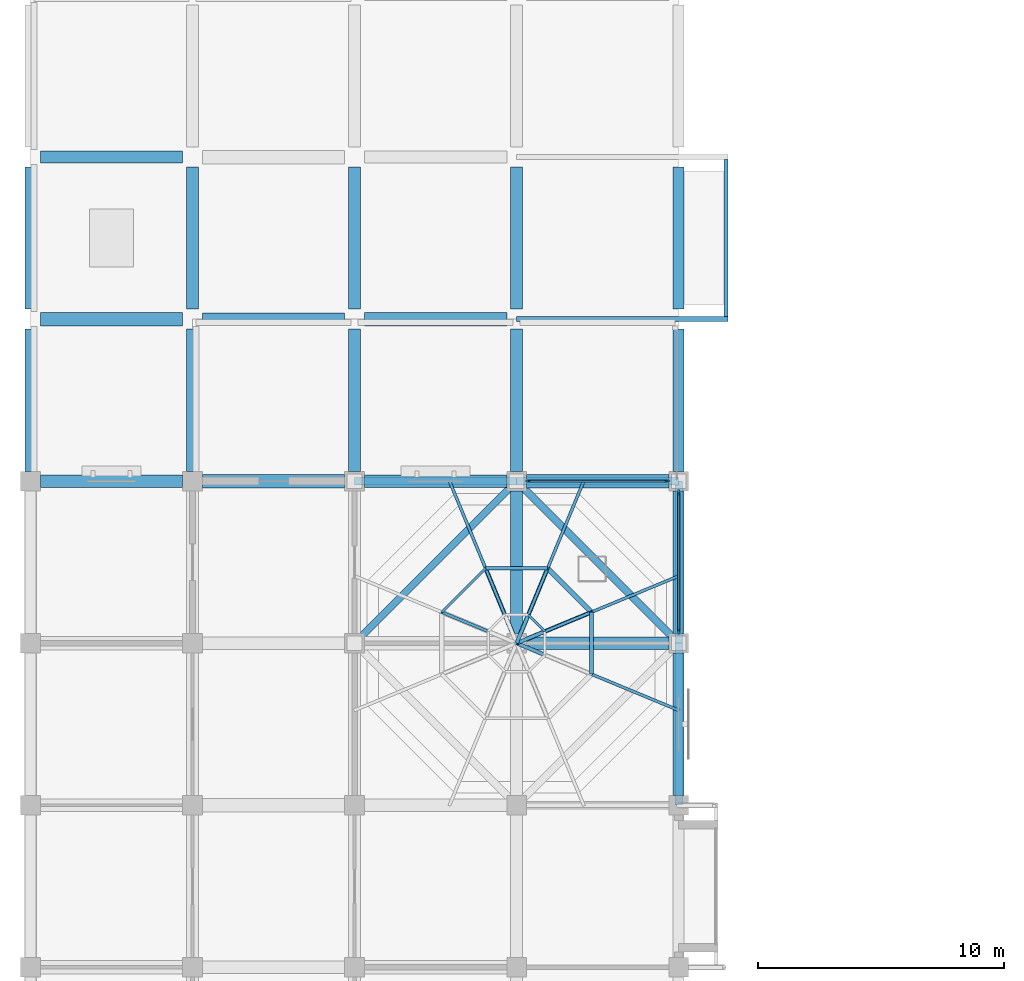
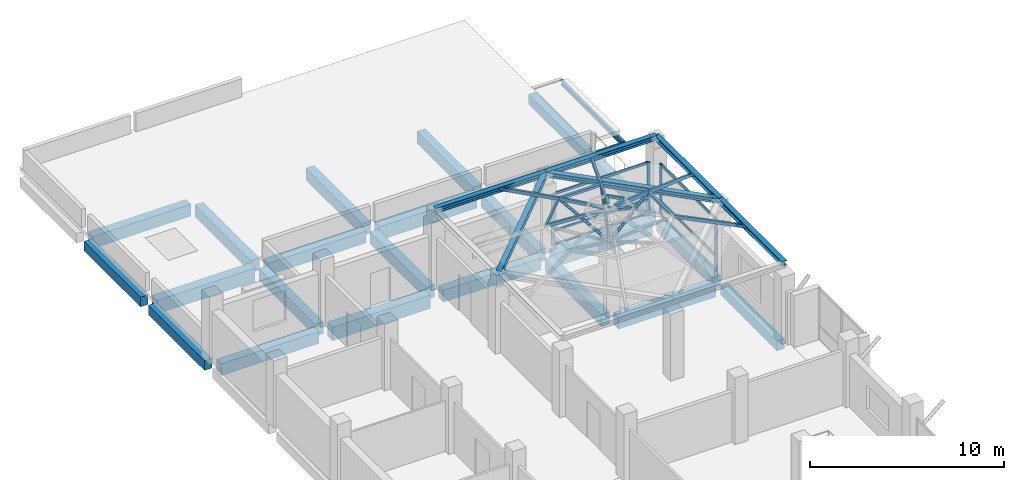
# One storey, part 11 of 25: 30 beams, 29 members, 2 elements without a shape of their own.
"""IFC4 building model written with IfcOpenShell, lengths in metres."""

from ifc_helpers import new_model, si_unit, direction, frame, origin, origin_2d, place, context, subcontext, project, spatial, rectangle, hollow_rectangle, hollow_circle, i_section, extrude, material, material_profile, profile_set, type_object, element, aggregate, save


model = new_model("IFC4")

# Units and contexts
model_context = context("Model", 3, precision=1e-05, world=origin(), true_north=direction((0.0, 1.0)))
body_context = subcontext(model_context, "Body", "Model", "MODEL_VIEW")
ifc_project = project(units=[si_unit("LENGTHUNIT", "METRE"), si_unit("AREAUNIT", "SQUARE_METRE"), si_unit("VOLUMEUNIT", "CUBIC_METRE"), si_unit("PLANEANGLEUNIT", "RADIAN"), si_unit("MASSUNIT", "GRAM", prefix="KILO")], contexts=[model_context])

# Site, building, storey
site_placement = place(None, origin())
site = spatial("IfcSite", under=ifc_project, at=site_placement, CompositionType="ELEMENT")
building_placement = place(site_placement, origin())
building = spatial("IfcBuilding", under=site, at=building_placement, Name="Rusizi Kubbe Research Institute", CompositionType="ELEMENT")
storey_placement = place(building_placement, frame((0.0, 0.0, 14.39990234375)))
storey = spatial("IfcBuildingStorey", under=building, at=storey_placement, Name="L03", CompositionType="ELEMENT", Elevation=14.39990234375)

# Beams
ifc_material_1 = material(Name="Steel S355", Category="steel")
ifc_material_profile_1 = material_profile(ifc_material_1, i_section(OverallWidth=0.300048828125, OverallDepth=0.300048828125, WebThickness=0.010986328125, FlangeThickness=0.01904296875, at=origin_2d()), Name="HEB 300")
ifc_profile_set_1 = profile_set([ifc_material_profile_1], Name="Steel S355")
beam_type_1 = type_object("IfcBeamType", Name="BM-HEB300", PredefinedType="BEAM", material=ifc_profile_set_1)
beam_1_placement = place(storey_placement, frame((26.39990234375, 85.800048828125, 4.7001953125), z_axis=(0.0, 1.0, 0.0), x_axis=(-1.0, 0.0, 0.0)))
element("IfcBeam", 1, at=beam_1_placement, inside=storey, type_object=beam_type_1, Name="Kubbe Dome Ring Beam DOME-NP1 E1", PredefinedType="BEAM", context=body_context, shape_type="SweptSolid", body=[
    extrude(i_section(OverallWidth=0.300048828125, OverallDepth=0.300048828125, WebThickness=0.010986328125, FlangeThickness=0.01904296875, at=origin_2d()), origin(), (0.0, 0.0, 1.0), 6.599853515625),
])
for number, where, z_axis, x_axis, name in (
    (2, (26.39990234375, 92.39990234375, 4.7001953125), (0.0, 1.0, 0.0), (-1.0, 0.0, 0.0), "Kubbe Dome Ring Beam DOME-NP1 E2"),
    (3, (13.199951171875, 99.0, 4.7001953125), (1.0, 0.0, 0.0), (0.0, 1.0, 0.0), "Kubbe Dome Ring Beam DOME-NP1 N1"),
):
    element("IfcBeam", number, at=place(storey_placement, frame(where, z_axis=z_axis, x_axis=x_axis)), inside=storey, type_object=beam_type_1, Name=name, PredefinedType="BEAM", context=body_context, shape_type="SweptSolid", body=[
        extrude(i_section(OverallWidth=0.300048828125, OverallDepth=0.300048828125, WebThickness=0.010986328125, FlangeThickness=0.01904296875, at=origin_2d()), origin(), (0.0, 0.0, 1.0), 6.60009765625),
    ])
beam_2_placement = place(storey_placement, frame((19.800048828125, 99.0, 4.7001953125), z_axis=(1.0, 0.0, 0.0), x_axis=(0.0, 1.0, 0.0)))
element("IfcBeam", 4, at=beam_2_placement, inside=storey, type_object=beam_type_1, Name="Kubbe Dome Ring Beam DOME-NP1 N2", PredefinedType="BEAM", context=body_context, shape_type="SweptSolid", body=[
    extrude(i_section(OverallWidth=0.300048828125, OverallDepth=0.300048828125, WebThickness=0.010986328125, FlangeThickness=0.01904296875, at=origin_2d()), origin(), (0.0, 0.0, 1.0), 6.599853515625),
])
beam_3_placement = place(storey_placement, frame((26.39990234375, 92.39990234375, 4.7001953125), z_axis=(-0.707093702722, 0.707119859409, 0.0), x_axis=(-0.707119859409, -0.707093702722, 0.0)))
element("IfcBeam", 5, at=beam_3_placement, inside=storey, type_object=beam_type_1, Name="Kubbe Dome Ring Beam DOME-NP1 PNE", PredefinedType="BEAM", context=body_context, shape_type="SweptSolid", body=[
    extrude(i_section(OverallWidth=0.300048828125, OverallDepth=0.300048828125, WebThickness=0.010986328125, FlangeThickness=0.01904296875, at=origin_2d()), origin(), (0.0, 0.0, 1.0), 9.333740234375),
])
beam_4_placement = place(storey_placement, frame((19.800048828125, 99.0, 4.7001953125), z_axis=(-0.707106781187, -0.707106781187, 0.0), x_axis=(0.707106781187, -0.707106781187, 0.0)))
element("IfcBeam", 6, at=beam_4_placement, inside=storey, type_object=beam_type_1, Name="Kubbe Dome Ring Beam DOME-NP1 PNW", PredefinedType="BEAM", context=body_context, shape_type="SweptSolid", body=[
    extrude(i_section(OverallWidth=0.300048828125, OverallDepth=0.300048828125, WebThickness=0.010986328125, FlangeThickness=0.01904296875, at=origin_2d()), origin(), (0.0, 0.0, 1.0), 9.333984375),
])
ifc_material_2 = material(Name="Steel S355", Category="steel")
ifc_material_profile_2 = material_profile(ifc_material_2, i_section(OverallWidth=0.14990234375, OverallDepth=0.300048828125, WebThickness=0.007080078125, FlangeThickness=0.0107421875, at=origin_2d()), Name="IPE 300")
ifc_profile_set_2 = profile_set([ifc_material_profile_2], Name="Steel S355")
beam_type_2 = type_object("IfcBeamType", Name="BM-IPE300", PredefinedType="BEAM", material=ifc_profile_set_2)
beam_5_placement = place(storey_placement, frame((28.324951171875, 105.695068359375, -0.5), z_axis=(0.0, 1.0, 0.0), x_axis=(-1.0, 0.0, 0.0)))
element("IfcBeam", 7, at=beam_5_placement, inside=storey, type_object=beam_type_2, Name="Cumba Edge Tie Beam L03-3", PredefinedType="BEAM", context=body_context, shape_type="SweptSolid", body=[
    extrude(i_section(OverallWidth=0.14990234375, OverallDepth=0.300048828125, WebThickness=0.007080078125, FlangeThickness=0.0107421875, at=origin_2d()), origin(), (0.0, 0.0, 1.0), 6.409912109375),
])
ifc_material_3 = material(Name="Steel S355", Category="steel")
ifc_material_profile_3 = material_profile(ifc_material_3, i_section(OverallWidth=0.18994140625, OverallDepth=0.449951171875, WebThickness=0.009521484375, FlangeThickness=0.0146484375, at=origin_2d()), Name="IPE 450")
ifc_profile_set_3 = profile_set([ifc_material_profile_3], Name="Steel S355")
beam_type_3 = type_object("IfcBeamType", Name="BM-IPE450", PredefinedType="BEAM", material=ifc_profile_set_3)
beam_6_placement = place(storey_placement, frame((19.800048828125, 105.60009765625, -0.574951171875), z_axis=(1.0, 0.0, 0.0), x_axis=(0.0, 1.0, 0.0)))
element("IfcBeam", 8, at=beam_6_placement, inside=storey, type_object=beam_type_3, Name="Cumba Back-Spanned Cantilever Beam L03-3S", PredefinedType="BEAM", context=body_context, shape_type="SweptSolid", body=[
    extrude(i_section(OverallWidth=0.18994140625, OverallDepth=0.449951171875, WebThickness=0.009521484375, FlangeThickness=0.0146484375, at=origin_2d()), origin(), (0.0, 0.0, 1.0), 8.599853515625),
])
ifc_material_4 = material(Name="Concrete C40/50", Category="concrete")
ifc_material_profile_4 = material_profile(ifc_material_4, rectangle(XDim=0.449951171875, YDim=0.60009765625, at=origin_2d()), Name="RC450x600")
ifc_profile_set_4 = profile_set([ifc_material_profile_4], Name="Concrete C40/50")
beam_type_4 = type_object("IfcBeamType", Name="BM-RC450x600", PredefinedType="SPANDREL", material=ifc_profile_set_4)
for number, where, z_axis, x_axis, name in (
    (9, (0.0, 99.39990234375, -0.64990234375), (0.0, 1.0, 0.0), (-1.0, 0.0, 0.0), "Grid Beam V L03 (0,15)"),
    (10, (0.0, 106.0, -0.64990234375), (0.0, 1.0, 0.0), (-1.0, 0.0, 0.0), "Grid Beam V L03 (0,16)"),
    (11, (26.39990234375, 86.199951171875, -0.64990234375), (0.0, 1.0, 0.0), (-1.0, 0.0, 0.0), "Grid Beam V L03 (4,13)"),
    (12, (26.39990234375, 92.800048828125, -0.64990234375), (0.0, 1.0, 0.0), (-1.0, 0.0, 0.0), "Grid Beam V L03 (4,14)"),
    (13, (26.39990234375, 99.39990234375, -0.64990234375), (0.0, 1.0, 0.0), (-1.0, 0.0, 0.0), "Grid Beam V L03 (4,15)"),
    (14, (26.39990234375, 106.0, -0.64990234375), (0.0, 1.0, 0.0), (-1.0, 0.0, 0.0), "Grid Beam V L03 (4,16)"),
):
    element("IfcBeam", number, at=place(storey_placement, frame(where, z_axis=z_axis, x_axis=x_axis)), inside=storey, type_object=beam_type_4, Name=name, PredefinedType="SPANDREL", context=body_context, shape_type="SweptSolid", body=[
        extrude(rectangle(XDim=0.449951171875, YDim=0.60009765625, at=origin_2d()), origin(), (0.0, 0.0, 1.0), 5.800048828125),
    ])
ifc_material_5 = material(Name="Concrete C45/55", Category="concrete")
ifc_material_profile_5 = material_profile(ifc_material_5, rectangle(XDim=0.5, YDim=0.75, at=origin_2d()), Name="RC500x750B")
ifc_profile_set_5 = profile_set([ifc_material_profile_5], Name="Concrete C45/55")
beam_type_5 = type_object("IfcBeamType", Name="BM-RC500x750", PredefinedType="BEAM", material=ifc_profile_set_5)
for number, where, z_axis, x_axis, name in (
    (15, (0.39990234375, 99.0, -0.724853515625), (1.0, 0.0, 0.0), (0.0, 1.0, 0.0), "Grid Beam H L03 (0,15)"),
    (16, (0.39990234375, 112.199951171875, -0.724853515625), (1.0, 0.0, 0.0), (0.0, 1.0, 0.0), "Grid Beam H L03 (0,17)"),
    (17, (7.0, 105.60009765625, -0.724853515625), (1.0, 0.0, 0.0), (0.0, 1.0, 0.0), "Grid Beam H L03 (1,16)"),
):
    element("IfcBeam", number, at=place(storey_placement, frame(where, z_axis=z_axis, x_axis=x_axis)), inside=storey, type_object=beam_type_5, Name=name, PredefinedType="BEAM", context=body_context, shape_type="SweptSolid", body=[
        extrude(rectangle(XDim=0.5, YDim=0.75, at=origin_2d()), origin(), (0.0, 0.0, 1.0), 5.800048828125),
    ])
beam_7_placement = place(storey_placement, frame((13.60009765625, 99.0, -0.724853515625), z_axis=(1.0, 0.0, 0.0), x_axis=(0.0, 1.0, 0.0)))
element("IfcBeam", 18, at=beam_7_placement, inside=storey, type_object=beam_type_5, Name="Grid Beam H L03 (2,15)", PredefinedType="BEAM", context=body_context, shape_type="SweptSolid", body=[
    extrude(rectangle(XDim=0.5, YDim=0.75, at=origin_2d()), origin(), (0.0, 0.0, 1.0), 5.7998046875),
])
for number, where, z_axis, x_axis, name in (
    (19, (20.199951171875, 92.39990234375, -0.724853515625), (1.0, 0.0, 0.0), (0.0, 1.0, 0.0), "Grid Beam H L03 (3,14)"),
    (20, (6.60009765625, 99.39990234375, -0.724853515625), (0.0, 1.0, 0.0), (-1.0, 0.0, 0.0), "Grid Beam V L03 (1,15)"),
    (21, (6.60009765625, 106.0, -0.724853515625), (0.0, 1.0, 0.0), (-1.0, 0.0, 0.0), "Grid Beam V L03 (1,16)"),
    (22, (13.199951171875, 99.39990234375, -0.724853515625), (0.0, 1.0, 0.0), (-1.0, 0.0, 0.0), "Grid Beam V L03 (2,15)"),
    (23, (13.199951171875, 106.0, -0.724853515625), (0.0, 1.0, 0.0), (-1.0, 0.0, 0.0), "Grid Beam V L03 (2,16)"),
    (24, (19.800048828125, 92.800048828125, -0.724853515625), (0.0, 1.0, 0.0), (-1.0, 0.0, 0.0), "Grid Beam V L03 (3,14)"),
    (25, (19.800048828125, 99.39990234375, -0.724853515625), (0.0, 1.0, 0.0), (-1.0, 0.0, 0.0), "Grid Beam V L03 (3,15)"),
    (26, (19.800048828125, 106.0, -0.724853515625), (0.0, 1.0, 0.0), (-1.0, 0.0, 0.0), "Grid Beam V L03 (3,16)"),
):
    element("IfcBeam", number, at=place(storey_placement, frame(where, z_axis=z_axis, x_axis=x_axis)), inside=storey, type_object=beam_type_5, Name=name, PredefinedType="BEAM", context=body_context, shape_type="SweptSolid", body=[
        extrude(rectangle(XDim=0.5, YDim=0.75, at=origin_2d()), origin(), (0.0, 0.0, 1.0), 5.800048828125),
    ])
ifc_material_6 = material(Name="Concrete C45/55", Category="concrete")
ifc_material_profile_6 = material_profile(ifc_material_6, rectangle(XDim=0.550048828125, YDim=0.85009765625, at=origin_2d()), Name="RC550x850")
ifc_profile_set_6 = profile_set([ifc_material_profile_6], Name="Concrete C45/55")
beam_type_6 = type_object("IfcBeamType", Name="BM-RC550x850", PredefinedType="BEAM", material=ifc_profile_set_6)
for number, where, z_axis, x_axis, name in (
    (27, (0.39990234375, 105.60009765625, -0.77490234375), (1.0, 0.0, 0.0), (0.0, 1.0, 0.0), "Grid Beam H L03 (0,16)"),
    (28, (7.0, 99.0, -0.77490234375), (1.0, 0.0, 0.0), (0.0, 1.0, 0.0), "Grid Beam H L03 (1,15)"),
):
    element("IfcBeam", number, at=place(storey_placement, frame(where, z_axis=z_axis, x_axis=x_axis)), inside=storey, type_object=beam_type_6, Name=name, PredefinedType="BEAM", context=body_context, shape_type="SweptSolid", body=[
        extrude(rectangle(XDim=0.550048828125, YDim=0.85009765625, at=origin_2d()), origin(), (0.0, 0.0, 1.0), 5.800048828125),
    ])
beam_8_placement = place(storey_placement, frame((13.60009765625, 105.60009765625, -0.77490234375), z_axis=(1.0, 0.0, 0.0), x_axis=(0.0, 1.0, 0.0)))
element("IfcBeam", 29, at=beam_8_placement, inside=storey, type_object=beam_type_6, Name="Grid Beam H L03 (2,16)", PredefinedType="BEAM", context=body_context, shape_type="SweptSolid", body=[
    extrude(rectangle(XDim=0.550048828125, YDim=0.85009765625, at=origin_2d()), origin(), (0.0, 0.0, 1.0), 5.7998046875),
])
beam_9_placement = place(storey_placement, frame((20.199951171875, 99.0, -0.77490234375), z_axis=(1.0, 0.0, 0.0), x_axis=(0.0, 1.0, 0.0)))
element("IfcBeam", 30, at=beam_9_placement, inside=storey, type_object=beam_type_6, Name="Grid Beam H L03 (3,15)", PredefinedType="BEAM", context=body_context, shape_type="SweptSolid", body=[
    extrude(rectangle(XDim=0.550048828125, YDim=0.85009765625, at=origin_2d()), origin(), (0.0, 0.0, 1.0), 5.800048828125),
])

# Members
ifc_material_7 = material(Name="Steel S355", Category="steel")
ifc_material_profile_7 = material_profile(ifc_material_7, hollow_circle(Radius=0.084228515625, WallThickness=0.00634765625, at=origin_2d()), Name="CHS 168.3x6.3")
ifc_profile_set_7 = profile_set([ifc_material_profile_7], Name="Steel S355")
member_type_1 = type_object("IfcMemberType", Name="MB-CHS168", PredefinedType="STRUT", material=ifc_profile_set_7)
for number, where, z_axis, x_axis, name in (
    (31, (19.800048828125, 92.39990234375, 4.400146484375), (0.86003043973, 0.356257003902, 0.365278783819), (-0.382702441477, 0.92387165845, 0.0), "Kubbe Radial King-Post Strut DOME-NP1-1"),
    (32, (19.800048828125, 92.39990234375, 4.400146484375), (0.356196873871, 0.860051539231, 0.365287745362), (-0.923897814256, 0.382639293348, 0.0), "Kubbe Radial King-Post Strut DOME-NP1-2"),
    (33, (19.800048828125, 92.39990234375, 4.400146484375), (-0.356257003902, 0.86003043973, 0.365278783819), (-0.92387165845, -0.382702441477, 0.0), "Kubbe Radial King-Post Strut DOME-NP1-3"),
):
    element("IfcMember", number, at=place(storey_placement, frame(where, z_axis=z_axis, x_axis=x_axis)), inside=storey, type_object=member_type_1, Name=name, PredefinedType="STRUT", context=body_context, shape_type="SweptSolid", body=[
        extrude(hollow_circle(Radius=0.084228515625, WallThickness=0.00634765625, at=origin_2d()), origin(), (0.0, 0.0, 1.0), 3.544921875),
    ])
ifc_material_8 = material(Name="Steel S355", Category="steel")
ifc_material_profile_8 = material_profile(ifc_material_8, hollow_rectangle(XDim=0.10009765625, YDim=0.179931640625, WallThickness=0.008056640625, at=origin_2d()), Name="RHS 180x100x8.0")
ifc_profile_set_8 = profile_set([ifc_material_profile_8], Name="Steel S355")
member_type_2 = type_object("IfcMemberType", Name="MB-RHS180", PredefinedType="PURLIN", material=ifc_profile_set_8)
member_1_placement = place(storey_placement, frame((20.954833984375, 92.87841796875, 6.400146484375), z_axis=(-0.707106781187, 0.707106781187, 0.0), x_axis=(-0.707106781187, -0.707106781187, 0.0)))
element("IfcMember", 34, at=member_1_placement, inside=storey, type_object=member_type_2, Name="Kubbe Dome Hoop Purlin Top DOME-NP1-1", PredefinedType="PURLIN", context=body_context, shape_type="SweptSolid", body=[
    extrude(hollow_rectangle(XDim=0.10009765625, YDim=0.179931640625, WallThickness=0.008056640625, at=origin_2d()), origin(), (0.0, 0.0, 1.0), 0.956787109375),
])
member_2_placement = place(storey_placement, frame((18.537109375, 95.44873046875, 5.695068359375), z_axis=(-0.707106781187, -0.707106781187, 0.0), x_axis=(0.707106781187, -0.707106781187, 0.0)))
element("IfcMember", 35, at=member_2_placement, inside=storey, type_object=member_type_2, Name="Kubbe Vault Hoop Purlin Mid DOME-NP1-3", PredefinedType="PURLIN", context=body_context, shape_type="SweptSolid", body=[
    extrude(hollow_rectangle(XDim=0.10009765625, YDim=0.179931640625, WallThickness=0.008056640625, at=origin_2d()), origin(), (0.0, 0.0, 1.0), 2.525634765625),
])
ifc_material_9 = material(Name="Steel S355", Category="steel")
ifc_material_profile_9 = material_profile(ifc_material_9, hollow_rectangle(XDim=0.1201171875, YDim=0.199951171875, WallThickness=0.008056640625, at=origin_2d()), Name="RHS 200x120x8.0")
ifc_profile_set_9 = profile_set([ifc_material_profile_9], Name="Steel S355")
member_type_3 = type_object("IfcMemberType", Name="MB-RHS200", PredefinedType="RAFTER", material=ifc_profile_set_9)
member_3_placement = place(storey_placement, frame((26.39990234375, 95.1337890625, 4.7001953125), z_axis=(-0.894398453709, -0.370488187253, 0.250579147395), x_axis=(0.382697731059, -0.923873609669, 0.0)))
element("IfcMember", 36, at=member_3_placement, inside=storey, type_object=member_type_3, Name="Kubbe Arch Rib Lower DOME-NP1-1", PredefinedType="RAFTER", context=body_context, shape_type="SweptSolid", body=[
    extrude(hollow_rectangle(XDim=0.1201171875, YDim=0.199951171875, WallThickness=0.008056640625, at=origin_2d()), origin(), (0.0, 0.0, 1.0), 3.97021484375),
])
member_4_placement = place(storey_placement, frame((22.848876953125, 93.662841796875, 5.695068359375), z_axis=(-0.898798111453, -0.372316033836, 0.231393011557), x_axis=(0.382702441477, -0.92387165845, 0.0)))
element("IfcMember", 37, at=member_4_placement, inside=storey, type_object=member_type_3, Name="Kubbe Arch Rib Upper DOME-NP1-1", PredefinedType="RAFTER", context=body_context, shape_type="SweptSolid", body=[
    extrude(hollow_rectangle(XDim=0.1201171875, YDim=0.199951171875, WallThickness=0.008056640625, at=origin_2d()), origin(), (0.0, 0.0, 1.0), 3.39208984375),
])
member_5_placement = place(storey_placement, frame((22.53369140625, 99.0, 4.7001953125), z_axis=(-0.370467812056, -0.894410754218, 0.25056536666), x_axis=(0.923882911584, -0.38267527446, 0.0)))
element("IfcMember", 38, at=member_5_placement, inside=storey, type_object=member_type_3, Name="Kubbe Arch Rib Lower DOME-NP1-2", PredefinedType="RAFTER", context=body_context, shape_type="SweptSolid", body=[
    extrude(hollow_rectangle(XDim=0.1201171875, YDim=0.199951171875, WallThickness=0.008056640625, at=origin_2d()), origin(), (0.0, 0.0, 1.0), 3.970458984375),
])
member_6_placement = place(storey_placement, frame((21.062744140625, 95.44873046875, 5.695068359375), z_axis=(-0.372254035235, -0.898822194899, 0.231399211771), x_axis=(0.923897814256, -0.382639293348, 0.0)))
element("IfcMember", 39, at=member_6_placement, inside=storey, type_object=member_type_3, Name="Kubbe Arch Rib Upper DOME-NP1-2", PredefinedType="RAFTER", context=body_context, shape_type="SweptSolid", body=[
    extrude(hollow_rectangle(XDim=0.1201171875, YDim=0.199951171875, WallThickness=0.008056640625, at=origin_2d()), origin(), (0.0, 0.0, 1.0), 3.39208984375),
])
member_7_placement = place(storey_placement, frame((17.066162109375, 99.0, 4.7001953125), z_axis=(0.370467812056, -0.894410754218, 0.25056536666), x_axis=(0.923882911584, 0.38267527446, 0.0)))
element("IfcMember", 40, at=member_7_placement, inside=storey, type_object=member_type_3, Name="Kubbe Arch Rib Lower DOME-NP1-3", PredefinedType="RAFTER", context=body_context, shape_type="SweptSolid", body=[
    extrude(hollow_rectangle(XDim=0.1201171875, YDim=0.199951171875, WallThickness=0.008056640625, at=origin_2d()), origin(), (0.0, 0.0, 1.0), 3.970458984375),
])
for number, where, z_axis, x_axis, name in (
    (41, (18.537109375, 95.44873046875, 5.695068359375), (0.372316033836, -0.898798111453, 0.231393011557), (0.92387165845, 0.382702441477, 0.0), "Kubbe Arch Rib Upper DOME-NP1-3"),
    (42, (16.751220703125, 93.662841796875, 5.695068359375), (0.898798111453, -0.372316033836, 0.231393011557), (0.382702441477, 0.92387165845, 0.0), "Kubbe Arch Rib Upper DOME-NP1-4"),
):
    element("IfcMember", number, at=place(storey_placement, frame(where, z_axis=z_axis, x_axis=x_axis)), inside=storey, type_object=member_type_3, Name=name, PredefinedType="RAFTER", context=body_context, shape_type="SweptSolid", body=[
        extrude(hollow_rectangle(XDim=0.1201171875, YDim=0.199951171875, WallThickness=0.008056640625, at=origin_2d()), origin(), (0.0, 0.0, 1.0), 3.39208984375),
    ])
member_8_placement = place(storey_placement, frame((26.39990234375, 89.666259765625, 4.7001953125), z_axis=(-0.894398453709, 0.370488187253, 0.250579147395), x_axis=(-0.382697731059, -0.923873609669, 0.0)))
element("IfcMember", 43, at=member_8_placement, inside=storey, type_object=member_type_3, Name="Kubbe Arch Rib Lower DOME-NP1-8", PredefinedType="RAFTER", context=body_context, shape_type="SweptSolid", body=[
    extrude(hollow_rectangle(XDim=0.1201171875, YDim=0.199951171875, WallThickness=0.008056640625, at=origin_2d()), origin(), (0.0, 0.0, 1.0), 3.97021484375),
])
ifc_material_10 = material(Name="Steel S355", Category="steel")
ifc_material_profile_10 = material_profile(ifc_material_10, hollow_rectangle(XDim=0.14990234375, YDim=0.14990234375, WallThickness=0.008056640625, at=origin_2d()), Name="SHS 150x150x8.0")
ifc_profile_set_10 = profile_set([ifc_material_profile_10], Name="Steel S355")
member_type_4 = type_object("IfcMemberType", Name="MB-SHS150", PredefinedType="PURLIN", material=ifc_profile_set_10)
member_9_placement = place(storey_placement, frame((19.800048828125, 92.39990234375, 6.400146484375), z_axis=(0.923826362943, 0.382811769845, 0.0), x_axis=(-0.382811769845, 0.923826362943, 0.0)))
element("IfcMember", 44, at=member_9_placement, inside=storey, type_object=member_type_4, Name="Kubbe Crown Collar DOME-NP1-1", PredefinedType="PURLIN", context=body_context, shape_type="SweptSolid", body=[
    extrude(hollow_rectangle(XDim=0.14990234375, YDim=0.14990234375, WallThickness=0.008056640625, at=origin_2d()), origin(), (0.0, 0.0, 1.0), 1.25),
])
member_10_placement = place(storey_placement, frame((21.062744140625, 95.44873046875, 5.695068359375), z_axis=(-1.0, 0.0, 0.0), x_axis=(0.0, -1.0, 0.0)))
element("IfcMember", 45, at=member_10_placement, inside=storey, type_object=member_type_4, Name="Kubbe Vault Hoop Purlin Mid DOME-NP1-2", PredefinedType="PURLIN", context=body_context, shape_type="SweptSolid", body=[
    extrude(hollow_rectangle(XDim=0.14990234375, YDim=0.14990234375, WallThickness=0.008056640625, at=origin_2d()), origin(), (0.0, 0.0, 1.0), 2.525634765625),
])
member_11_placement = place(storey_placement, frame((19.800048828125, 92.39990234375, 6.400146484375), z_axis=(0.382576019711, 0.923924016974, 0.0), x_axis=(-0.923924016974, 0.382576019711, 0.0)))
element("IfcMember", 46, at=member_11_placement, inside=storey, type_object=member_type_4, Name="Kubbe Crown Collar DOME-NP1-2", PredefinedType="PURLIN", context=body_context, shape_type="SweptSolid", body=[
    extrude(hollow_rectangle(XDim=0.14990234375, YDim=0.14990234375, WallThickness=0.008056640625, at=origin_2d()), origin(), (0.0, 0.0, 1.0), 1.250244140625),
])
member_12_placement = place(storey_placement, frame((22.848876953125, 91.13720703125, 5.695068359375), z_axis=(0.0, 1.0, 0.0), x_axis=(-1.0, 0.0, 0.0)))
element("IfcMember", 47, at=member_12_placement, inside=storey, type_object=member_type_4, Name="Kubbe Vault Hoop Purlin Mid DOME-NP1-8", PredefinedType="PURLIN", context=body_context, shape_type="SweptSolid", body=[
    extrude(hollow_rectangle(XDim=0.14990234375, YDim=0.14990234375, WallThickness=0.008056640625, at=origin_2d()), origin(), (0.0, 0.0, 1.0), 2.525634765625),
])
member_13_placement = place(storey_placement, frame((19.800048828125, 92.39990234375, 6.400146484375), z_axis=(0.923895425513, -0.382645061011, 0.0), x_axis=(0.382645061011, 0.923895425513, 0.0)))
element("IfcMember", 48, at=member_13_placement, inside=storey, type_object=member_type_4, Name="Kubbe Crown Collar DOME-NP1-8", PredefinedType="PURLIN", context=body_context, shape_type="SweptSolid", body=[
    extrude(hollow_rectangle(XDim=0.14990234375, YDim=0.14990234375, WallThickness=0.008056640625, at=origin_2d()), origin(), (0.0, 0.0, 1.0), 1.25),
])
ifc_material_11 = material(Name="Steel S355", Category="steel")
ifc_material_profile_11 = material_profile(ifc_material_11, hollow_rectangle(XDim=0.199951171875, YDim=0.199951171875, WallThickness=0.010009765625, at=origin_2d()), Name="SHS 200x200x10.0")
ifc_profile_set_11 = profile_set([ifc_material_profile_11], Name="Steel S355")
member_type_5 = type_object("IfcMemberType", Name="MB-SHS200", PredefinedType="PURLIN", material=ifc_profile_set_11)
member_14_placement = place(storey_placement, frame((22.848876953125, 93.662841796875, 5.695068359375), z_axis=(-0.707155108889, 0.707058450181, 0.0), x_axis=(-0.707058450181, -0.707155108889, 0.0)))
element("IfcMember", 49, at=member_14_placement, inside=storey, type_object=member_type_5, Name="Kubbe Vault Hoop Purlin Mid DOME-NP1-1", PredefinedType="PURLIN", context=body_context, shape_type="SweptSolid", body=[
    extrude(hollow_rectangle(XDim=0.199951171875, YDim=0.199951171875, WallThickness=0.010009765625, at=origin_2d()), origin(), (0.0, 0.0, 1.0), 2.52587890625),
])

# Curtain wall, members
ifc_material_12 = material(Name="Thermally Broken Aluminium and Low-E Glazing", Category="aluminium")
curtain_wall_type = type_object("IfcCurtainWallType", Name="CW-06", PredefinedType="NOTDEFINED", material=ifc_material_12)
curtain_wall_1_placement = place(storey_placement, origin())
curtain_wall_1 = element("IfcCurtainWall", 50, at=curtain_wall_1_placement, inside=storey, type_object=curtain_wall_type, Name="Unitised Facade Curtain Wall CW-L03-H-03-15", PredefinedType="NOTDEFINED")
ifc_material_13 = material(Name="Aluminium Alloy 6063-T6", Category="aluminium")
ifc_material_profile_12 = material_profile(ifc_material_13, rectangle(XDim=0.06494140625, YDim=0.199951171875, at=origin_2d()), Name="ALU-M 65x200")
ifc_profile_set_12 = profile_set([ifc_material_profile_12], Name="Aluminium Alloy 6063-T6")
member_type_6 = type_object("IfcMemberType", Name="ML-03", PredefinedType="MULLION", material=ifc_profile_set_12)
member_15_placement = place(storey_placement, frame((20.262451171875, 99.0, 0.0), z_axis=(0.0, 0.0, 1.0), x_axis=(0.0, 1.0, 0.0)))
member_15 = element("IfcMember", 51, at=member_15_placement, type_object=member_type_6, Name="CW-06 mullion 1", PredefinedType="MULLION", context=body_context, shape_type="SweptSolid", body=[
    extrude(rectangle(XDim=0.06494140625, YDim=0.199951171875, at=origin_2d()), origin(), (0.0, 0.0, 1.0), 3.260009765625),
])
member_16_placement = place(storey_placement, frame((25.9375, 99.0, 0.0), z_axis=(0.0, 0.0, 1.0), x_axis=(0.0, 1.0, 0.0)))
member_16 = element("IfcMember", 52, at=member_16_placement, type_object=member_type_6, Name="CW-06 mullion 2", PredefinedType="MULLION", context=body_context, shape_type="SweptSolid", body=[
    extrude(rectangle(XDim=0.06494140625, YDim=0.199951171875, at=origin_2d()), origin(), (0.0, 0.0, 1.0), 3.260009765625),
])

curtain_wall_2_placement = place(storey_placement, origin())
curtain_wall_2 = element("IfcCurtainWall", 53, at=curtain_wall_2_placement, inside=storey, type_object=curtain_wall_type, Name="Unitised Facade Curtain Wall CW-L03-V-04-14", PredefinedType="NOTDEFINED")
ifc_material_14 = material(Name="Aluminium Alloy 6063-T6", Category="aluminium")
ifc_material_profile_13 = material_profile(ifc_material_14, rectangle(XDim=0.070068359375, YDim=0.219970703125, at=origin_2d()), Name="ALU-M 70x220")
ifc_profile_set_13 = profile_set([ifc_material_profile_13], Name="Aluminium Alloy 6063-T6")
member_type_7 = type_object("IfcMemberType", Name="ML-04", PredefinedType="MULLION", material=ifc_profile_set_13)
member_17_placement = place(storey_placement, frame((26.39990234375, 92.864990234375, 0.0), z_axis=(0.0, 0.0, 1.0), x_axis=(-1.0, 0.0, 0.0)))
member_17 = element("IfcMember", 54, at=member_17_placement, type_object=member_type_7, Name="CW-06 mullion 1", PredefinedType="MULLION", context=body_context, shape_type="SweptSolid", body=[
    extrude(rectangle(XDim=0.070068359375, YDim=0.219970703125, at=origin_2d()), origin(), (0.0, 0.0, 1.0), 3.260009765625),
])
member_18_placement = place(storey_placement, frame((26.39990234375, 98.534912109375, 0.0), z_axis=(0.0, 0.0, 1.0), x_axis=(-1.0, 0.0, 0.0)))
member_18 = element("IfcMember", 55, at=member_18_placement, type_object=member_type_7, Name="CW-06 mullion 2", PredefinedType="MULLION", context=body_context, shape_type="SweptSolid", body=[
    extrude(rectangle(XDim=0.070068359375, YDim=0.219970703125, at=origin_2d()), origin(), (0.0, 0.0, 1.0), 3.260009765625),
])

# Member
ifc_material_15 = material(Name="Aluminium Alloy 6063-T6", Category="aluminium")
ifc_material_profile_14 = material_profile(ifc_material_15, rectangle(XDim=0.06494140625, YDim=0.159912109375, at=origin_2d()), Name="ALU-T 65x160")
ifc_profile_set_14 = profile_set([ifc_material_profile_14], Name="Aluminium Alloy 6063-T6")
member_type_8 = type_object("IfcMemberType", Name="TR-03", PredefinedType="USERDEFINED", material=ifc_profile_set_14)
member_19_placement = place(storey_placement, frame((20.294921875, 99.0, 0.03271484375), z_axis=(1.0, 0.0, 0.0), x_axis=(0.0, 1.0, 0.0)))
member_19 = element("IfcMember", 56, at=member_19_placement, type_object=member_type_8, Name="CW-06 transom 1.1", ObjectType="TRANSOM", PredefinedType="USERDEFINED", context=body_context, shape_type="SweptSolid", body=[
    extrude(rectangle(XDim=0.06494140625, YDim=0.159912109375, at=origin_2d()), origin(), (0.0, 0.0, 1.0), 5.610107421875),
])

member_20_placement = place(storey_placement, frame((20.294921875, 99.0, 0.900146484375), z_axis=(1.0, 0.0, 0.0), x_axis=(0.0, 1.0, 0.0)))
member_20 = element("IfcMember", 57, at=member_20_placement, type_object=member_type_8, Name="CW-06 transom 1.2", ObjectType="TRANSOM", PredefinedType="USERDEFINED", context=body_context, shape_type="SweptSolid", body=[
    extrude(rectangle(XDim=0.06494140625, YDim=0.159912109375, at=origin_2d()), origin(), (0.0, 0.0, 1.0), 5.610107421875),
])

member_21_placement = place(storey_placement, frame((20.294921875, 99.0, 3.2275390625), z_axis=(1.0, 0.0, 0.0), x_axis=(0.0, 1.0, 0.0)))
member_21 = element("IfcMember", 58, at=member_21_placement, type_object=member_type_8, Name="CW-06 transom 1.3", ObjectType="TRANSOM", PredefinedType="USERDEFINED", context=body_context, shape_type="SweptSolid", body=[
    extrude(rectangle(XDim=0.06494140625, YDim=0.159912109375, at=origin_2d()), origin(), (0.0, 0.0, 1.0), 5.610107421875),
])

aggregate(curtain_wall_1, [member_15, member_16, member_19, member_20, member_21])

ifc_material_16 = material(Name="Aluminium Alloy 6063-T6", Category="aluminium")
ifc_material_profile_15 = material_profile(ifc_material_16, rectangle(XDim=0.070068359375, YDim=0.18994140625, at=origin_2d()), Name="ALU-T 70x190")
ifc_profile_set_15 = profile_set([ifc_material_profile_15], Name="Aluminium Alloy 6063-T6")
member_type_9 = type_object("IfcMemberType", Name="TR-04", PredefinedType="USERDEFINED", material=ifc_profile_set_15)
member_22_placement = place(storey_placement, frame((26.39990234375, 92.89990234375, 0.03515625), z_axis=(0.0, 1.0, 0.0), x_axis=(-1.0, 0.0, 0.0)))
member_22 = element("IfcMember", 59, at=member_22_placement, type_object=member_type_9, Name="CW-06 transom 1.1", ObjectType="TRANSOM", PredefinedType="USERDEFINED", context=body_context, shape_type="SweptSolid", body=[
    extrude(rectangle(XDim=0.070068359375, YDim=0.18994140625, at=origin_2d()), origin(), (0.0, 0.0, 1.0), 5.60009765625),
])

member_23_placement = place(storey_placement, frame((26.39990234375, 92.89990234375, 0.900146484375), z_axis=(0.0, 1.0, 0.0), x_axis=(-1.0, 0.0, 0.0)))
member_23 = element("IfcMember", 60, at=member_23_placement, type_object=member_type_9, Name="CW-06 transom 1.2", ObjectType="TRANSOM", PredefinedType="USERDEFINED", context=body_context, shape_type="SweptSolid", body=[
    extrude(rectangle(XDim=0.070068359375, YDim=0.18994140625, at=origin_2d()), origin(), (0.0, 0.0, 1.0), 5.60009765625),
])

member_24_placement = place(storey_placement, frame((26.39990234375, 92.89990234375, 3.22509765625), z_axis=(0.0, 1.0, 0.0), x_axis=(-1.0, 0.0, 0.0)))
member_24 = element("IfcMember", 61, at=member_24_placement, type_object=member_type_9, Name="CW-06 transom 1.3", ObjectType="TRANSOM", PredefinedType="USERDEFINED", context=body_context, shape_type="SweptSolid", body=[
    extrude(rectangle(XDim=0.070068359375, YDim=0.18994140625, at=origin_2d()), origin(), (0.0, 0.0, 1.0), 5.60009765625),
])

aggregate(curtain_wall_2, [member_17, member_18, member_22, member_23, member_24])

save(model, "model.ifc")
